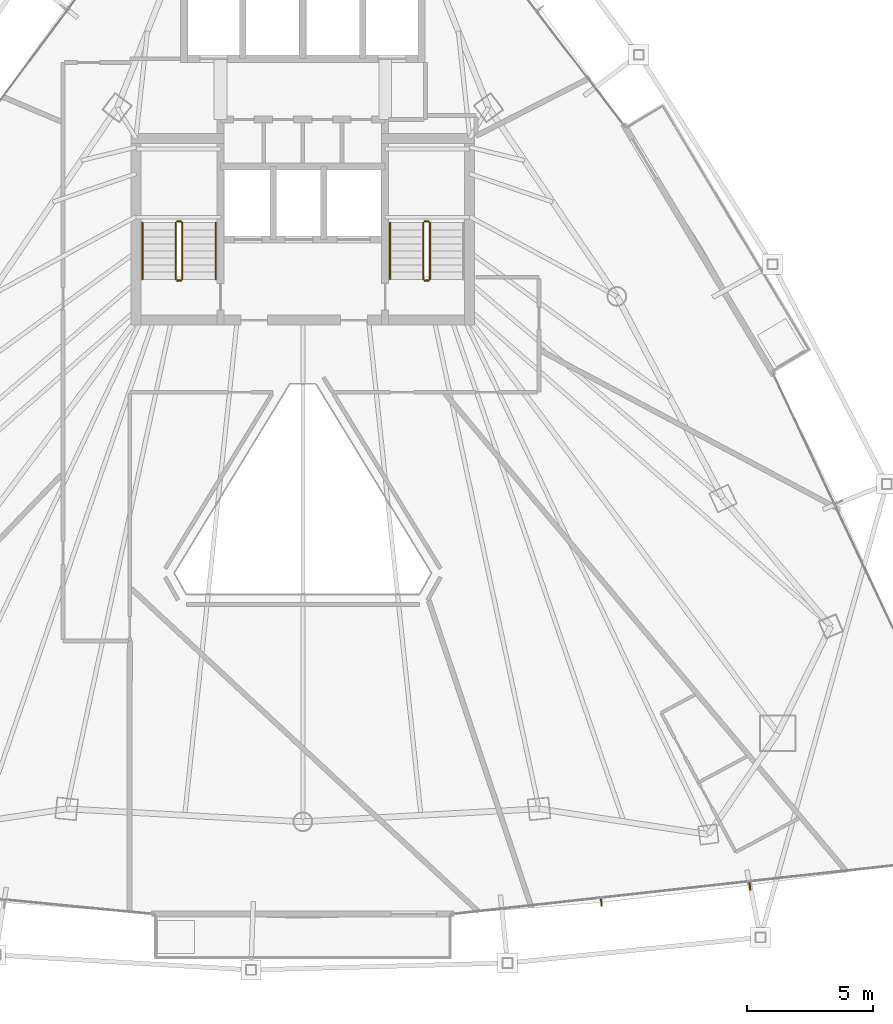
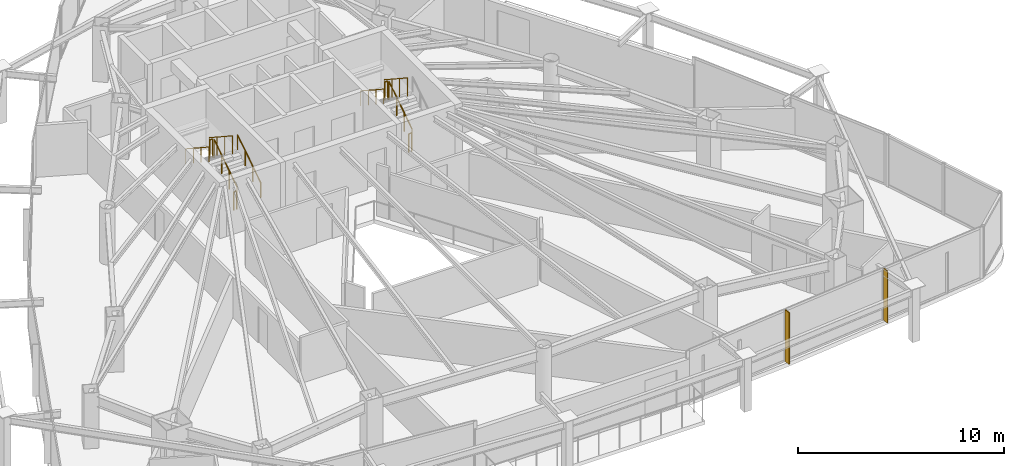
# One storey, part 30 of 31: 11 railings, 2 shading devices.
"""IFC4 building model written with IfcOpenShell, lengths in metres."""

from ifc_helpers import new_model, si_unit, direction, frame, origin, origin_2d, place, context, subcontext, project, spatial, rectangle, circle, extrude, material, layer, layer_set, type_object, element, save


model = new_model("IFC4")

# Units and contexts
model_context = context("Model", 3, precision=1e-05, world=origin(), true_north=direction((0.0, 1.0)))
body_context = subcontext(model_context, "Body", "Model", "MODEL_VIEW")
ifc_project = project(units=[si_unit("LENGTHUNIT", "METRE"), si_unit("AREAUNIT", "SQUARE_METRE"), si_unit("VOLUMEUNIT", "CUBIC_METRE"), si_unit("PLANEANGLEUNIT", "RADIAN"), si_unit("MASSUNIT", "GRAM", prefix="KILO")], contexts=[model_context])

# Site, building, storey
site_placement = place(None, origin())
site = spatial("IfcSite", under=ifc_project, at=site_placement, CompositionType="ELEMENT")
building_placement = place(site_placement, origin())
building = spatial("IfcBuilding", under=site, at=building_placement, Name="Orvanel Arch Residences", CompositionType="ELEMENT")
storey_placement = place(building_placement, frame((0.0, 0.0, 133.10009765625)))
storey = spatial("IfcBuildingStorey", under=building, at=storey_placement, Name="L37", CompositionType="ELEMENT", Elevation=133.10009765625)

# Shading devices
ifc_material_1 = material(Name="Bronze-anodised aluminium AA6063-T6", Category="aluminium")
ifc_layer = layer(ifc_material_1, 0.054931640625)
ifc_layer_set = layer_set([ifc_layer], Name="Bronze-anodised aluminium AA6063-T6")
shading_device_type = type_object("IfcShadingDeviceType", Name="FIN-BRZ-320", PredefinedType="USERDEFINED", material=ifc_layer_set)
for number, where, z_axis, x_axis, name in (
    (1, (44.81689453125, 3.64990234375, -0.000244140625), (0.0, 0.0, 1.0), (0.109734311091, -0.993960955455, 0.0), "L37 Anodised Bronze Mullion FIN 01"),
    (2, (50.697998046875, 4.298095703125, -0.000244140625), (0.0, 0.0, 1.0), (0.109734311091, -0.993960955455, 0.0), "L37 Anodised Bronze Mullion FIN 02"),
):
    element("IfcShadingDevice", number, at=place(storey_placement, frame(where, z_axis=z_axis, x_axis=x_axis)), inside=storey, type_object=shading_device_type, Name=name, ObjectType="FIN", PredefinedType="USERDEFINED", context=body_context, shape_type="SweptSolid", body=[
        extrude(rectangle(XDim=0.320068359375, YDim=0.054931640625, at=origin_2d()), origin(), (0.0, 0.0, 1.0), 3.06005859375),
    ])

# Railings
ifc_material_2 = material(Name="Structural steel AS/NZS 1163 C350L0 (Grade 350)", Category="steel")
railing_type_1 = type_object("IfcRailingType", Name="RL-STAIR-GUARD", PredefinedType="GUARDRAIL", material=ifc_material_2)
railing_1_placement = place(storey_placement, frame((28.22998046875, 28.320068359375, 0.183349609375)))
element("IfcRailing", 3, at=railing_1_placement, inside=storey, type_object=railing_type_1, Name="L37 ST-1 stair guard 1", PredefinedType="GUARDRAIL", context=body_context, shape_type="SweptSolid", body=[
    extrude(circle(Radius=0.02392578125, at=origin_2d()), frame((0.0, 0.001220703125, 1.076904296875), z_axis=(0.0, 0.836636935527, 0.547757827979), x_axis=(-1.0, 0.0, 0.0)), (0.0, 0.0, 1.0), 2.67431640625),
    extrude(circle(Radius=0.02099609375, at=origin_2d()), origin(), (0.0, 0.0, 1.0), 1.050048828125),
    extrude(circle(Radius=0.02099609375, at=origin_2d()), frame((0.0, 0.74658203125, 0.48876953125)), (0.0, 0.0, 1.0), 1.050048828125),
    extrude(circle(Radius=0.02099609375, at=origin_2d()), frame((0.0, 1.493408203125, 0.977783203125)), (0.0, 0.0, 1.0), 1.050048828125),
    extrude(circle(Radius=0.02099609375, at=origin_2d()), frame((0.0, 2.239990234375, 1.466552734375)), (0.0, 0.0, 1.0), 1.050048828125),
])
railing_2_placement = place(storey_placement, frame((28.179931640625, 30.610107421875, 1.64990234375)))
element("IfcRailing", 4, at=railing_2_placement, inside=storey, type_object=railing_type_1, Name="L37 ST-1 stair guard 2", PredefinedType="GUARDRAIL", context=body_context, shape_type="SweptSolid", body=[
    extrude(circle(Radius=0.02392578125, at=origin_2d()), frame((-0.00146484375, 0.0, 1.076171875), z_axis=(-1.0, 0.0, 0.0), x_axis=(0.0, -1.0, 0.0)), (0.0, 0.0, 1.0), 0.156982421875),
    extrude(circle(Radius=0.02099609375, at=origin_2d()), origin(), (0.0, 0.0, 1.0), 1.050048828125),
    extrude(circle(Radius=0.02099609375, at=origin_2d()), frame((-0.159912109375, 0.0, 0.0)), (0.0, 0.0, 1.0), 1.050048828125),
])
railing_3_placement = place(storey_placement, frame((27.969970703125, 30.56005859375, 1.833251953125)))
element("IfcRailing", 5, at=railing_3_placement, inside=storey, type_object=railing_type_1, Name="L37 ST-1 stair guard 3", PredefinedType="GUARDRAIL", context=body_context, shape_type="SweptSolid", body=[
    extrude(circle(Radius=0.02392578125, at=origin_2d()), frame((0.0, -0.001220703125, 1.076904296875), z_axis=(0.0, -0.836636935527, 0.547757827979), x_axis=(1.0, 0.0, 0.0)), (0.0, 0.0, 1.0), 2.67431640625),
    extrude(circle(Radius=0.02099609375, at=origin_2d()), origin(), (0.0, 0.0, 1.0), 1.050048828125),
    extrude(circle(Radius=0.02099609375, at=origin_2d()), frame((0.0, -0.74658203125, 0.48876953125)), (0.0, 0.0, 1.0), 1.050048828125),
    extrude(circle(Radius=0.02099609375, at=origin_2d()), frame((0.0, -1.493408203125, 0.977783203125)), (0.0, 0.0, 1.0), 1.050048828125),
    extrude(circle(Radius=0.02099609375, at=origin_2d()), frame((0.0, -2.239990234375, 1.466552734375)), (0.0, 0.0, 1.0), 1.050048828125),
])
railing_4_placement = place(storey_placement, frame((28.179931640625, 28.27001953125, 0.0)))
element("IfcRailing", 6, at=railing_4_placement, inside=storey, type_object=railing_type_1, Name="L37 ST-1 stair guard 4", PredefinedType="GUARDRAIL", context=body_context, shape_type="SweptSolid", body=[
    extrude(circle(Radius=0.02392578125, at=origin_2d()), frame((-0.00146484375, 0.0, 1.076171875), z_axis=(-1.0, 0.0, 0.0), x_axis=(0.0, -1.0, 0.0)), (0.0, 0.0, 1.0), 0.156982421875),
    extrude(circle(Radius=0.02099609375, at=origin_2d()), origin(), (0.0, 0.0, 1.0), 1.050048828125),
    extrude(circle(Radius=0.02099609375, at=origin_2d()), frame((-0.159912109375, 0.0, 0.0)), (0.0, 0.0, 1.0), 1.050048828125),
])
railing_5_placement = place(storey_placement, frame((38.030029296875, 28.320068359375, 0.183349609375)))
element("IfcRailing", 7, at=railing_5_placement, inside=storey, type_object=railing_type_1, Name="L37 ST-2 stair guard 1", PredefinedType="GUARDRAIL", context=body_context, shape_type="SweptSolid", body=[
    extrude(circle(Radius=0.02392578125, at=origin_2d()), frame((0.0, 0.001220703125, 1.076904296875), z_axis=(0.0, 0.836636935527, 0.547757827979), x_axis=(-1.0, 0.0, 0.0)), (0.0, 0.0, 1.0), 2.67431640625),
    extrude(circle(Radius=0.02099609375, at=origin_2d()), origin(), (0.0, 0.0, 1.0), 1.050048828125),
    extrude(circle(Radius=0.02099609375, at=origin_2d()), frame((0.0, 0.74658203125, 0.48876953125)), (0.0, 0.0, 1.0), 1.050048828125),
    extrude(circle(Radius=0.02099609375, at=origin_2d()), frame((0.0, 1.493408203125, 0.977783203125)), (0.0, 0.0, 1.0), 1.050048828125),
    extrude(circle(Radius=0.02099609375, at=origin_2d()), frame((0.0, 2.239990234375, 1.466552734375)), (0.0, 0.0, 1.0), 1.050048828125),
])
railing_6_placement = place(storey_placement, frame((37.97998046875, 30.610107421875, 1.64990234375)))
element("IfcRailing", 8, at=railing_6_placement, inside=storey, type_object=railing_type_1, Name="L37 ST-2 stair guard 2", PredefinedType="GUARDRAIL", context=body_context, shape_type="SweptSolid", body=[
    extrude(circle(Radius=0.02392578125, at=origin_2d()), frame((-0.00146484375, 0.0, 1.076171875), z_axis=(-1.0, 0.0, 0.0), x_axis=(0.0, -1.0, 0.0)), (0.0, 0.0, 1.0), 0.156982421875),
    extrude(circle(Radius=0.02099609375, at=origin_2d()), origin(), (0.0, 0.0, 1.0), 1.050048828125),
    extrude(circle(Radius=0.02099609375, at=origin_2d()), frame((-0.159912109375, 0.0, 0.0)), (0.0, 0.0, 1.0), 1.050048828125),
])
railing_7_placement = place(storey_placement, frame((37.77001953125, 30.56005859375, 1.833251953125)))
element("IfcRailing", 9, at=railing_7_placement, inside=storey, type_object=railing_type_1, Name="L37 ST-2 stair guard 3", PredefinedType="GUARDRAIL", context=body_context, shape_type="SweptSolid", body=[
    extrude(circle(Radius=0.02392578125, at=origin_2d()), frame((0.0, -0.001220703125, 1.076904296875), z_axis=(0.0, -0.836636935527, 0.547757827979), x_axis=(1.0, 0.0, 0.0)), (0.0, 0.0, 1.0), 2.67431640625),
    extrude(circle(Radius=0.02099609375, at=origin_2d()), origin(), (0.0, 0.0, 1.0), 1.050048828125),
    extrude(circle(Radius=0.02099609375, at=origin_2d()), frame((0.0, -0.74658203125, 0.48876953125)), (0.0, 0.0, 1.0), 1.050048828125),
    extrude(circle(Radius=0.02099609375, at=origin_2d()), frame((0.0, -1.493408203125, 0.977783203125)), (0.0, 0.0, 1.0), 1.050048828125),
    extrude(circle(Radius=0.02099609375, at=origin_2d()), frame((0.0, -2.239990234375, 1.466552734375)), (0.0, 0.0, 1.0), 1.050048828125),
])
railing_8_placement = place(storey_placement, frame((37.97998046875, 28.27001953125, 0.0)))
element("IfcRailing", 10, at=railing_8_placement, inside=storey, type_object=railing_type_1, Name="L37 ST-2 stair guard 4", PredefinedType="GUARDRAIL", context=body_context, shape_type="SweptSolid", body=[
    extrude(circle(Radius=0.02392578125, at=origin_2d()), frame((-0.00146484375, 0.0, 1.076171875), z_axis=(-1.0, 0.0, 0.0), x_axis=(0.0, -1.0, 0.0)), (0.0, 0.0, 1.0), 0.156982421875),
    extrude(circle(Radius=0.02099609375, at=origin_2d()), origin(), (0.0, 0.0, 1.0), 1.050048828125),
    extrude(circle(Radius=0.02099609375, at=origin_2d()), frame((-0.159912109375, 0.0, 0.0)), (0.0, 0.0, 1.0), 1.050048828125),
])
railing_type_2 = type_object("IfcRailingType", Name="RL-STAIR-HAND", PredefinedType="HANDRAIL", material=ifc_material_2)
railing_9_placement = place(storey_placement, frame((29.550048828125, 28.320068359375, 0.183349609375)))
element("IfcRailing", 11, at=railing_9_placement, inside=storey, type_object=railing_type_2, Name="L37 ST-1 stair handrail 1", PredefinedType="HANDRAIL", context=body_context, shape_type="SweptSolid", body=[
    extrude(circle(Radius=0.02392578125, at=origin_2d()), frame((0.0, 0.001220703125, 0.876708984375), z_axis=(0.0, 0.836636935527, 0.547757827979), x_axis=(-1.0, 0.0, 0.0)), (0.0, 0.0, 1.0), 2.67431640625),
    extrude(circle(Radius=0.02099609375, at=origin_2d()), origin(), (0.0, 0.0, 1.0), 0.849853515625),
    extrude(circle(Radius=0.02099609375, at=origin_2d()), frame((0.0, 0.74658203125, 0.48876953125)), (0.0, 0.0, 1.0), 0.849853515625),
    extrude(circle(Radius=0.02099609375, at=origin_2d()), frame((0.0, 1.493408203125, 0.977783203125)), (0.0, 0.0, 1.0), 0.849853515625),
    extrude(circle(Radius=0.02099609375, at=origin_2d()), frame((0.0, 2.239990234375, 1.466552734375)), (0.0, 0.0, 1.0), 0.849853515625),
])
for number, where, name in (
    (12, (26.64990234375, 30.56005859375, 1.833251953125), "L37 ST-1 stair handrail 2"),
    (13, (36.449951171875, 30.56005859375, 1.833251953125), "L37 ST-2 stair handrail 2"),
):
    element("IfcRailing", number, at=place(storey_placement, frame(where)), inside=storey, type_object=railing_type_2, Name=name, PredefinedType="HANDRAIL", context=body_context, shape_type="SweptSolid", body=[
        extrude(circle(Radius=0.02392578125, at=origin_2d()), frame((0.0, -0.001220703125, 0.876708984375), z_axis=(0.0, -0.836636935527, 0.547757827979), x_axis=(1.0, 0.0, 0.0)), (0.0, 0.0, 1.0), 2.67431640625),
        extrude(circle(Radius=0.02099609375, at=origin_2d()), origin(), (0.0, 0.0, 1.0), 0.849853515625),
        extrude(circle(Radius=0.02099609375, at=origin_2d()), frame((0.0, -0.74658203125, 0.48876953125)), (0.0, 0.0, 1.0), 0.849853515625),
        extrude(circle(Radius=0.02099609375, at=origin_2d()), frame((0.0, -1.493408203125, 0.977783203125)), (0.0, 0.0, 1.0), 0.849853515625),
        extrude(circle(Radius=0.02099609375, at=origin_2d()), frame((0.0, -2.239990234375, 1.466552734375)), (0.0, 0.0, 1.0), 0.849853515625),
    ])

save(model, "model.ifc")
